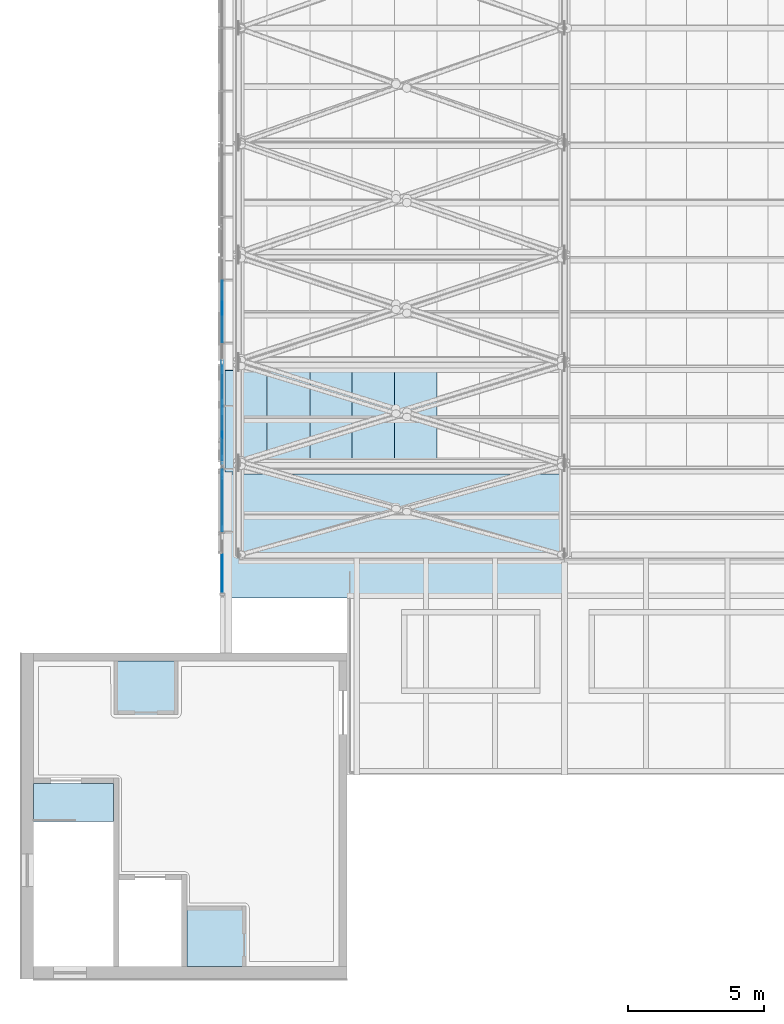
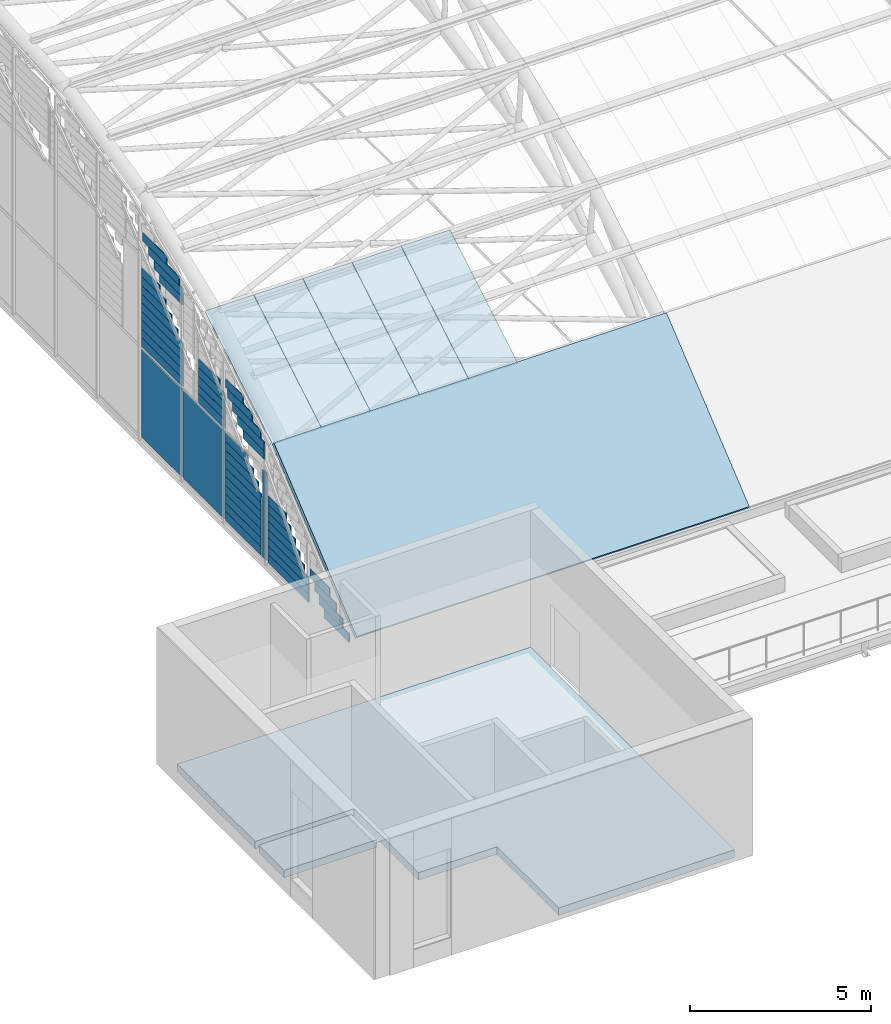
# One storey, part 51 of 110: 53 plates, 3 slabs, 1 element without a shape of its own.
"""IFC4 building model written with IfcOpenShell, lengths in metres."""

from ifc_helpers import new_model, si_unit, direction, frame, origin, place, context, subcontext, project, spatial, polyline, outline, extrude, material, layer, layer_set, type_object, element, aggregate, save


model = new_model("IFC4")

# Units and contexts
model_context = context("Model", 3, precision=1e-05, world=origin(), true_north=direction((0.0, 1.0)))
body_context = subcontext(model_context, "Body", "Model", "MODEL_VIEW")
ifc_project = project(units=[si_unit("LENGTHUNIT", "METRE"), si_unit("AREAUNIT", "SQUARE_METRE"), si_unit("VOLUMEUNIT", "CUBIC_METRE"), si_unit("PLANEANGLEUNIT", "RADIAN"), si_unit("MASSUNIT", "GRAM", prefix="KILO")], contexts=[model_context])

# Site, building, storey
site_placement = place(None, origin())
site = spatial("IfcSite", under=ifc_project, at=site_placement, CompositionType="ELEMENT")
building_placement = place(site_placement, origin())
building = spatial("IfcBuilding", under=site, at=building_placement, Name="Windward Yard Aquatics Centre", CompositionType="ELEMENT")
storey_placement = place(building_placement, frame((0.0, 0.0, 22.60009765625)))
storey = spatial("IfcBuildingStorey", under=building, at=storey_placement, Name="L05", CompositionType="ELEMENT", Elevation=22.60009765625)

# Slabs
ifc_material_1 = material(Name="Concrete C35/45", Category="concrete")
ifc_layer_1 = layer(ifc_material_1, 0.25)
ifc_layer_set_1 = layer_set([ifc_layer_1], Name="H Core Floor Concrete C35/45 250")
slab_type_1 = type_object("IfcSlabType", Name="H Core Floor Concrete C35/45 250", PredefinedType="FLOOR", material=ifc_layer_set_1)
slab_1_placement = place(storey_placement, frame((0.0, 0.0, -0.25)))
element("IfcSlab", 1, at=slab_1_placement, inside=storey, type_object=slab_type_1, Name="L05 core floor SW", PredefinedType="FLOOR", context=body_context, shape_type="SweptSolid", body=[
    extrude(outline(polyline([(52.449951171875, 33.39990234375), (55.60009765625, 33.39990234375), (55.60009765625, 29.85009765625), (58.10009765625, 29.85009765625), (58.10009765625, 26.449951171875), (63.699951171875, 26.449951171875), (63.699951171875, 37.699951171875), (52.449951171875, 37.699951171875), (52.449951171875, 33.39990234375)])), origin(), (0.0, 0.0, 1.0), 0.25),
])
slab_2_placement = place(storey_placement, frame((0.0, 0.0, -0.25)))
element("IfcSlab", 2, at=slab_2_placement, inside=storey, type_object=slab_type_1, Name="L05 stair floor landing SW", PredefinedType="FLOOR", context=body_context, shape_type="SweptSolid", body=[
    extrude(outline(polyline([(52.449951171875, 31.800048828125), (55.39990234375, 31.800048828125), (55.39990234375, 33.199951171875), (52.449951171875, 33.199951171875), (52.449951171875, 31.800048828125)])), origin(), (0.0, 0.0, 1.0), 0.25),
])

# Curtain wall, plates
ifc_material_2 = material(Name="Glass and aluminium curtain wall", Category="aluminium")
ifc_layer_2 = layer(ifc_material_2, 0.179931640625)
ifc_layer_set_2 = layer_set([ifc_layer_2], Name="H gable glazing system double glazed 8+16+8")
curtain_wall_type = type_object("IfcCurtainWallType", Name="H gable glazing system double glazed 8+16+8", PredefinedType="NOTDEFINED", material=ifc_layer_set_2)
curtain_wall_placement = place(storey_placement, origin())
curtain_wall = element("IfcCurtainWall", 3, at=curtain_wall_placement, inside=storey, type_object=curtain_wall_type, Name="Gable glazing W", PredefinedType="NOTDEFINED")
ifc_material_3 = material(Name="Low-iron glass", Category="glass")
ifc_layer_3 = layer(ifc_material_3, 0.008, Name="Outer pane")
ifc_material_4 = material(Name="Argon-filled cavity")
ifc_layer_4 = layer(ifc_material_4, 0.016, Name="Cavity")
ifc_layer_5 = layer(ifc_material_3, 0.008, Name="Inner pane")
ifc_layer_set_3 = layer_set([ifc_layer_3, ifc_layer_4, ifc_layer_5], Name="H gable glass low-e double glazed unit 32")
plate_type_1 = type_object("IfcPlateType", Name="H gable glass low-e double glazed unit 32", PredefinedType="CURTAIN_PANEL", material=ifc_layer_set_3)
plate_1_placement = place(storey_placement, frame((59.426025390625, 40.255126953125, 0.099853515625), z_axis=(1.0, 0.0, 0.0), x_axis=(0.0, 1.0, 0.0)))
plate_1 = element("IfcPlate", 4, at=plate_1_placement, type_object=plate_type_1, Name="Gable panel 1.1a", PredefinedType="CURTAIN_PANEL", context=body_context, shape_type="SweptSolid", body=[
    extrude(outline(polyline([(0.0, 0.0), (1.380371, 0.0), (1.380371, 0.295166), (0.0, 0.295166), (0.0, 0.0)])), origin(), (0.0, 0.0, -1.0), 0.031982421875),
])
plate_2_placement = place(storey_placement, frame((59.426025390625, 40.61474609375, 0.3955078125), z_axis=(1.0, 0.0, 0.0), x_axis=(0.0, 1.0, 0.0)))
plate_2 = element("IfcPlate", 5, at=plate_2_placement, type_object=plate_type_1, Name="Gable panel 1.1b", PredefinedType="CURTAIN_PANEL", context=body_context, shape_type="SweptSolid", body=[
    extrude(outline(polyline([(0.0, 0.0), (1.283691, 0.0), (1.283691, 0.294922), (0.0, 0.294922), (0.0, 0.0)])), origin(), (0.0, 0.0, -1.0), 0.031982421875),
])
plate_3_placement = place(storey_placement, frame((59.426025390625, 40.974609375, 0.69091796875), z_axis=(1.0, 0.0, 0.0), x_axis=(0.0, 1.0, 0.0)))
plate_3 = element("IfcPlate", 6, at=plate_3_placement, type_object=plate_type_1, Name="Gable panel 1.1c", PredefinedType="CURTAIN_PANEL", context=body_context, shape_type="SweptSolid", body=[
    extrude(outline(polyline([(0.0, 0.0), (1.186523, 0.0), (1.186523, 0.295166), (0.0, 0.295166), (0.0, 0.0)])), origin(), (0.0, 0.0, -1.0), 0.031982421875),
])
plate_4_placement = place(storey_placement, frame((59.426025390625, 41.334228515625, 0.986328125), z_axis=(1.0, 0.0, 0.0), x_axis=(0.0, 1.0, 0.0)))
plate_4 = element("IfcPlate", 7, at=plate_4_placement, type_object=plate_type_1, Name="Gable panel 1.1d", PredefinedType="CURTAIN_PANEL", context=body_context, shape_type="SweptSolid", body=[
    extrude(outline(polyline([(0.0, 0.0), (1.079346, 0.0), (1.079346, 0.295166), (0.0, 0.295166), (0.0, 0.0)])), origin(), (0.0, 0.0, -1.0), 0.031982421875),
])
plate_5_placement = place(storey_placement, frame((59.426025390625, 42.478515625, 0.099853515625), z_axis=(1.0, 0.0, 0.0), x_axis=(0.0, 1.0, 0.0)))
plate_5 = element("IfcPlate", 8, at=plate_5_placement, type_object=plate_type_1, Name="Gable panel 2.1a", PredefinedType="CURTAIN_PANEL", context=body_context, shape_type="SweptSolid", body=[
    extrude(outline(polyline([(0.0, 0.0), (2.254395, 0.0), (2.254395, 0.280029), (0.0, 0.280029), (0.0, 0.0)])), origin(), (0.0, 0.0, -1.0), 0.031982421875),
])
plate_6_placement = place(storey_placement, frame((59.426025390625, 42.478515625, 0.380126953125), z_axis=(1.0, 0.0, 0.0), x_axis=(0.0, 1.0, 0.0)))
plate_6 = element("IfcPlate", 9, at=plate_6_placement, type_object=plate_type_1, Name="Gable panel 2.1b", PredefinedType="CURTAIN_PANEL", context=body_context, shape_type="SweptSolid", body=[
    extrude(outline(polyline([(0.0, 0.0), (2.254395, 0.0), (2.254395, 0.279785), (0.0, 0.279785), (0.0, 0.0)])), origin(), (0.0, 0.0, -1.0), 0.031982421875),
])
plate_7_placement = place(storey_placement, frame((59.426025390625, 42.489990234375, 0.660400390625), z_axis=(1.0, 0.0, 0.0), x_axis=(0.0, 1.0, 0.0)))
plate_7 = element("IfcPlate", 10, at=plate_7_placement, type_object=plate_type_1, Name="Gable panel 2.1c", PredefinedType="CURTAIN_PANEL", context=body_context, shape_type="SweptSolid", body=[
    extrude(outline(polyline([(0.0, 0.0), (2.24292, 0.0), (2.24292, 0.279541), (0.0, 0.279541), (0.0, 0.0)])), origin(), (0.0, 0.0, -1.0), 0.031982421875),
])
plate_8_placement = place(storey_placement, frame((59.426025390625, 42.739013671875, 0.9404296875), z_axis=(1.0, 0.0, 0.0), x_axis=(0.0, 1.0, 0.0)))
plate_8 = element("IfcPlate", 11, at=plate_8_placement, type_object=plate_type_1, Name="Gable panel 2.1d", PredefinedType="CURTAIN_PANEL", context=body_context, shape_type="SweptSolid", body=[
    extrude(outline(polyline([(0.0, 0.0), (1.993896, 0.0), (1.993896, 0.279785), (0.0, 0.279785), (0.0, 0.0)])), origin(), (0.0, 0.0, -1.0), 0.031982421875),
])
plate_9_placement = place(storey_placement, frame((59.426025390625, 42.98828125, 1.220458984375), z_axis=(1.0, 0.0, 0.0), x_axis=(0.0, 1.0, 0.0)))
plate_9 = element("IfcPlate", 12, at=plate_9_placement, type_object=plate_type_1, Name="Gable panel 2.1e", PredefinedType="CURTAIN_PANEL", context=body_context, shape_type="SweptSolid", body=[
    extrude(outline(polyline([(0.0, 0.0), (1.744629, 0.0), (1.744629, 0.279785), (0.0, 0.279785), (0.0, 0.0)])), origin(), (0.0, 0.0, -1.0), 0.031982421875),
])
plate_10_placement = place(storey_placement, frame((59.426025390625, 43.237548828125, 1.500732421875), z_axis=(1.0, 0.0, 0.0), x_axis=(0.0, 1.0, 0.0)))
plate_10 = element("IfcPlate", 13, at=plate_10_placement, type_object=plate_type_1, Name="Gable panel 2.1f", PredefinedType="CURTAIN_PANEL", context=body_context, shape_type="SweptSolid", body=[
    extrude(outline(polyline([(0.0, 0.0), (1.495361, 0.0), (1.495361, 0.279541), (0.0, 0.279541), (0.0, 0.0)])), origin(), (0.0, 0.0, -1.0), 0.031982421875),
])
plate_11_placement = place(storey_placement, frame((59.426025390625, 43.486572265625, 1.78076171875), z_axis=(1.0, 0.0, 0.0), x_axis=(0.0, 1.0, 0.0)))
plate_11 = element("IfcPlate", 14, at=plate_11_placement, type_object=plate_type_1, Name="Gable panel 2.1g", PredefinedType="CURTAIN_PANEL", context=body_context, shape_type="SweptSolid", body=[
    extrude(outline(polyline([(0.0, 0.0), (1.246338, 0.0), (1.246338, 0.279785), (0.0, 0.279785), (0.0, 0.0)])), origin(), (0.0, 0.0, -1.0), 0.031982421875),
])
plate_12_placement = place(storey_placement, frame((59.426025390625, 43.73583984375, 2.060791015625), z_axis=(1.0, 0.0, 0.0), x_axis=(0.0, 1.0, 0.0)))
plate_12 = element("IfcPlate", 15, at=plate_12_placement, type_object=plate_type_1, Name="Gable panel 2.1h", PredefinedType="CURTAIN_PANEL", context=body_context, shape_type="SweptSolid", body=[
    extrude(outline(polyline([(0.0, 0.0), (0.99707, 0.0), (0.99707, 0.279785), (0.0, 0.279785), (0.0, 0.0)])), origin(), (0.0, 0.0, -1.0), 0.031982421875),
])
plate_13_placement = place(storey_placement, frame((59.426025390625, 45.093017578125, 0.099853515625), z_axis=(1.0, 0.0, 0.0), x_axis=(0.0, 1.0, 0.0)))
plate_13 = element("IfcPlate", 16, at=plate_13_placement, type_object=plate_type_1, Name="Gable panel 3.1a", PredefinedType="CURTAIN_PANEL", context=body_context, shape_type="SweptSolid", body=[
    extrude(outline(polyline([(0.0, 0.0), (1.958984, 0.0), (1.958984, 0.294922), (0.0, 0.294922), (0.0, 0.0)])), origin(), (0.0, 0.0, -1.0), 0.031982421875),
])
plate_14_placement = place(storey_placement, frame((59.426025390625, 45.093017578125, 0.39501953125), z_axis=(1.0, 0.0, 0.0), x_axis=(0.0, 1.0, 0.0)))
plate_14 = element("IfcPlate", 17, at=plate_14_placement, type_object=plate_type_1, Name="Gable panel 3.1b", PredefinedType="CURTAIN_PANEL", context=body_context, shape_type="SweptSolid", body=[
    extrude(outline(polyline([(0.0, 0.0), (1.958984, 0.0), (1.958984, 0.294678), (0.0, 0.294678), (0.0, 0.0)])), origin(), (0.0, 0.0, -1.0), 0.031982421875),
])
plate_15_placement = place(storey_placement, frame((59.426025390625, 45.093017578125, 0.690185546875), z_axis=(1.0, 0.0, 0.0), x_axis=(0.0, 1.0, 0.0)))
plate_15 = element("IfcPlate", 18, at=plate_15_placement, type_object=plate_type_1, Name="Gable panel 3.1c", PredefinedType="CURTAIN_PANEL", context=body_context, shape_type="SweptSolid", body=[
    extrude(outline(polyline([(0.0, 0.0), (1.958984, 0.0), (1.958984, 0.294434), (0.0, 0.294434), (0.0, 0.0)])), origin(), (0.0, 0.0, -1.0), 0.031982421875),
])
plate_16_placement = place(storey_placement, frame((59.426025390625, 45.093017578125, 0.985107421875), z_axis=(1.0, 0.0, 0.0), x_axis=(0.0, 1.0, 0.0)))
plate_16 = element("IfcPlate", 19, at=plate_16_placement, type_object=plate_type_1, Name="Gable panel 3.1d", PredefinedType="CURTAIN_PANEL", context=body_context, shape_type="SweptSolid", body=[
    extrude(outline(polyline([(0.0, 0.0), (1.958984, 0.0), (1.958984, 0.294678), (0.0, 0.294678), (0.0, 0.0)])), origin(), (0.0, 0.0, -1.0), 0.031982421875),
])
plate_17_placement = place(storey_placement, frame((59.426025390625, 45.093017578125, 1.280029296875), z_axis=(1.0, 0.0, 0.0), x_axis=(0.0, 1.0, 0.0)))
plate_17 = element("IfcPlate", 20, at=plate_17_placement, type_object=plate_type_1, Name="Gable panel 3.1e", PredefinedType="CURTAIN_PANEL", context=body_context, shape_type="SweptSolid", body=[
    extrude(outline(polyline([(0.0, 0.0), (1.958984, 0.0), (1.958984, 0.294678), (0.0, 0.294678), (0.0, 0.0)])), origin(), (0.0, 0.0, -1.0), 0.031982421875),
])
plate_18_placement = place(storey_placement, frame((59.426025390625, 45.093017578125, 1.5751953125), z_axis=(1.0, 0.0, 0.0), x_axis=(0.0, 1.0, 0.0)))
plate_18 = element("IfcPlate", 21, at=plate_18_placement, type_object=plate_type_1, Name="Gable panel 3.1f", PredefinedType="CURTAIN_PANEL", context=body_context, shape_type="SweptSolid", body=[
    extrude(outline(polyline([(0.0, 0.0), (1.958984, 0.0), (1.958984, 0.294434), (0.0, 0.294434), (0.0, 0.0)])), origin(), (0.0, 0.0, -1.0), 0.031982421875),
])
plate_19_placement = place(storey_placement, frame((59.426025390625, 45.093017578125, 1.8701171875), z_axis=(1.0, 0.0, 0.0), x_axis=(0.0, 1.0, 0.0)))
plate_19 = element("IfcPlate", 22, at=plate_19_placement, type_object=plate_type_1, Name="Gable panel 3.1g", PredefinedType="CURTAIN_PANEL", context=body_context, shape_type="SweptSolid", body=[
    extrude(outline(polyline([(0.0, 0.0), (1.958984, 0.0), (1.958984, 0.294678), (0.0, 0.294678), (0.0, 0.0)])), origin(), (0.0, 0.0, -1.0), 0.031982421875),
])
plate_20_placement = place(storey_placement, frame((59.426025390625, 45.2587890625, 2.1650390625), z_axis=(1.0, 0.0, 0.0), x_axis=(0.0, 1.0, 0.0)))
plate_20 = element("IfcPlate", 23, at=plate_20_placement, type_object=plate_type_1, Name="Gable panel 3.1h", PredefinedType="CURTAIN_PANEL", context=body_context, shape_type="SweptSolid", body=[
    extrude(outline(polyline([(0.0, 0.0), (1.793213, 0.0), (1.793213, 0.294678), (0.0, 0.294678), (0.0, 0.0)])), origin(), (0.0, 0.0, -1.0), 0.031982421875),
])
plate_21_placement = place(storey_placement, frame((59.426025390625, 45.549072265625, 2.460205078125), z_axis=(1.0, 0.0, 0.0), x_axis=(0.0, 1.0, 0.0)))
plate_21 = element("IfcPlate", 24, at=plate_21_placement, type_object=plate_type_1, Name="Gable panel 3.1i", PredefinedType="CURTAIN_PANEL", context=body_context, shape_type="SweptSolid", body=[
    extrude(outline(polyline([(0.0, 0.0), (1.50293, 0.0), (1.50293, 0.294434), (0.0, 0.294434), (0.0, 0.0)])), origin(), (0.0, 0.0, -1.0), 0.031982421875),
])
plate_22_placement = place(storey_placement, frame((59.426025390625, 45.83984375, 2.755126953125), z_axis=(1.0, 0.0, 0.0), x_axis=(0.0, 1.0, 0.0)))
plate_22 = element("IfcPlate", 25, at=plate_22_placement, type_object=plate_type_1, Name="Gable panel 3.1j", PredefinedType="CURTAIN_PANEL", context=body_context, shape_type="SweptSolid", body=[
    extrude(outline(polyline([(0.0, 0.0), (1.212158, 0.0), (1.212158, 0.294678), (0.0, 0.294678), (0.0, 0.0)])), origin(), (0.0, 0.0, -1.0), 0.031982421875),
])
plate_23_placement = place(storey_placement, frame((59.39404296875, 44.7978515625, 0.099853515625), z_axis=(-1.0, 0.0, 0.0), x_axis=(0.0, 0.0, 1.0)))
plate_23 = element("IfcPlate", 26, at=plate_23_placement, type_object=plate_type_1, Name="Gable panel 3.1r", PredefinedType="CURTAIN_PANEL", context=body_context, shape_type="SweptSolid", body=[
    extrude(outline(polyline([(0.0, 0.0), (2.949951, 0.0), (2.949951, 0.238281), (0.0, 0.238281), (0.0, 0.0)])), origin(), (0.0, 0.0, -1.0), 0.031982421875),
])
plate_24_placement = place(storey_placement, frame((59.426025390625, 44.9375, 3.435791015625), z_axis=(1.0, 0.0, 0.0), x_axis=(0.0, 1.0, 0.0)))
plate_24 = element("IfcPlate", 27, at=plate_24_placement, type_object=plate_type_1, Name="Gable panel 3.2d", PredefinedType="CURTAIN_PANEL", context=body_context, shape_type="SweptSolid", body=[
    extrude(outline(polyline([(0.0, 0.0), (1.170166, 0.0), (1.170166, 0.2854), (0.0, 0.2854), (0.0, 0.0)])), origin(), (0.0, 0.0, -1.0), 0.031982421875),
])
plate_25_placement = place(storey_placement, frame((59.426025390625, 44.9375, 3.7216796875), z_axis=(1.0, 0.0, 0.0), x_axis=(0.0, 1.0, 0.0)))
plate_25 = element("IfcPlate", 28, at=plate_25_placement, type_object=plate_type_1, Name="Gable panel 3.2e", PredefinedType="CURTAIN_PANEL", context=body_context, shape_type="SweptSolid", body=[
    extrude(outline(polyline([(0.0, 0.0), (1.451416, 0.0), (1.451416, 0.2854), (0.0, 0.2854), (0.0, 0.0)])), origin(), (0.0, 0.0, -1.0), 0.031982421875),
])
plate_26_placement = place(storey_placement, frame((59.426025390625, 45.122802734375, 4.007568359375), z_axis=(1.0, 0.0, 0.0), x_axis=(0.0, 1.0, 0.0)))
plate_26 = element("IfcPlate", 29, at=plate_26_placement, type_object=plate_type_1, Name="Gable panel 3.2f", PredefinedType="CURTAIN_PANEL", context=body_context, shape_type="SweptSolid", body=[
    extrude(outline(polyline([(0.0, 0.0), (1.547607, 0.0), (1.547607, 0.2854), (0.0, 0.2854), (0.0, 0.0)])), origin(), (0.0, 0.0, -1.0), 0.031982421875),
])
plate_27_placement = place(storey_placement, frame((59.426025390625, 45.60498046875, 4.293212890625), z_axis=(1.0, 0.0, 0.0), x_axis=(0.0, 1.0, 0.0)))
plate_27 = element("IfcPlate", 30, at=plate_27_placement, type_object=plate_type_1, Name="Gable panel 3.2g", PredefinedType="CURTAIN_PANEL", context=body_context, shape_type="SweptSolid", body=[
    extrude(outline(polyline([(0.0, 0.0), (1.346924, 0.0), (1.346924, 0.2854), (0.0, 0.2854), (0.0, 0.0)])), origin(), (0.0, 0.0, -1.0), 0.031982421875),
])
plate_28_placement = place(storey_placement, frame((59.426025390625, 46.087158203125, 4.5791015625), z_axis=(1.0, 0.0, 0.0), x_axis=(0.0, 1.0, 0.0)))
plate_28 = element("IfcPlate", 31, at=plate_28_placement, type_object=plate_type_1, Name="Gable panel 3.2h", PredefinedType="CURTAIN_PANEL", context=body_context, shape_type="SweptSolid", body=[
    extrude(outline(polyline([(0.0, 0.0), (0.964844, 0.0), (0.964844, 0.2854), (0.0, 0.2854), (0.0, 0.0)])), origin(), (0.0, 0.0, -1.0), 0.031982421875),
])
plate_29_placement = place(storey_placement, frame((59.39404296875, 47.1171875, 0.099853515625), z_axis=(-1.0, 0.0, 0.0), x_axis=(0.0, 0.0, 1.0)))
plate_29 = element("IfcPlate", 32, at=plate_29_placement, type_object=plate_type_1, Name="Gable panel 4.1", PredefinedType="CURTAIN_PANEL", context=body_context, shape_type="SweptSolid", body=[
    extrude(outline(polyline([(0.0, 0.0), (2.949951, 0.0), (2.949951, 2.25415), (0.0, 2.25415), (0.0, 0.0)])), origin(), (0.0, 0.0, -1.0), 0.031982421875),
])
plate_30_placement = place(storey_placement, frame((59.426025390625, 47.1171875, 3.14990234375), z_axis=(1.0, 0.0, 0.0), x_axis=(0.0, 1.0, 0.0)))
plate_30 = element("IfcPlate", 33, at=plate_30_placement, type_object=plate_type_1, Name="Gable panel 4.2an", PredefinedType="CURTAIN_PANEL", context=body_context, shape_type="SweptSolid", body=[
    extrude(outline(polyline([(0.0, 0.0), (1.44458, 0.0), (1.44458, 0.295898), (0.0, 0.295898), (0.0, 0.0)])), origin(), (0.0, 0.0, -1.0), 0.031982421875),
])
plate_31_placement = place(storey_placement, frame((59.426025390625, 47.1171875, 3.446044921875), z_axis=(1.0, 0.0, 0.0), x_axis=(0.0, 1.0, 0.0)))
plate_31 = element("IfcPlate", 34, at=plate_31_placement, type_object=plate_type_1, Name="Gable panel 4.2ao", PredefinedType="CURTAIN_PANEL", context=body_context, shape_type="SweptSolid", body=[
    extrude(outline(polyline([(0.0, 0.0), (1.44458, 0.0), (1.44458, 0.295898), (0.0, 0.295898), (0.0, 0.0)])), origin(), (0.0, 0.0, -1.0), 0.031982421875),
])
plate_32_placement = place(storey_placement, frame((59.426025390625, 47.1171875, 3.7421875), z_axis=(1.0, 0.0, 0.0), x_axis=(0.0, 1.0, 0.0)))
plate_32 = element("IfcPlate", 35, at=plate_32_placement, type_object=plate_type_1, Name="Gable panel 4.2ap", PredefinedType="CURTAIN_PANEL", context=body_context, shape_type="SweptSolid", body=[
    extrude(outline(polyline([(0.0, 0.0), (1.44458, 0.0), (1.44458, 0.295654), (0.0, 0.295654), (0.0, 0.0)])), origin(), (0.0, 0.0, -1.0), 0.031982421875),
])
plate_33_placement = place(storey_placement, frame((59.426025390625, 47.1171875, 4.038330078125), z_axis=(1.0, 0.0, 0.0), x_axis=(0.0, 1.0, 0.0)))
plate_33 = element("IfcPlate", 36, at=plate_33_placement, type_object=plate_type_1, Name="Gable panel 4.2aq", PredefinedType="CURTAIN_PANEL", context=body_context, shape_type="SweptSolid", body=[
    extrude(outline(polyline([(0.0, 0.0), (1.44458, 0.0), (1.44458, 0.295654), (0.0, 0.295654), (0.0, 0.0)])), origin(), (0.0, 0.0, -1.0), 0.031982421875),
])
plate_34_placement = place(storey_placement, frame((59.426025390625, 47.3955078125, 4.33447265625), z_axis=(1.0, 0.0, 0.0), x_axis=(0.0, 1.0, 0.0)))
plate_34 = element("IfcPlate", 37, at=plate_34_placement, type_object=plate_type_1, Name="Gable panel 4.2ar", PredefinedType="CURTAIN_PANEL", context=body_context, shape_type="SweptSolid", body=[
    extrude(outline(polyline([(0.0, 0.0), (1.16626, 0.0), (1.16626, 0.295654), (0.0, 0.295654), (0.0, 0.0)])), origin(), (0.0, 0.0, -1.0), 0.031982421875),
])
plate_35_placement = place(storey_placement, frame((59.39404296875, 49.436279296875, 0.099853515625), z_axis=(-1.0, 0.0, 0.0), x_axis=(0.0, 0.0, 1.0)))
plate_35 = element("IfcPlate", 38, at=plate_35_placement, type_object=plate_type_1, Name="Gable panel 5.1", PredefinedType="CURTAIN_PANEL", context=body_context, shape_type="SweptSolid", body=[
    extrude(outline(polyline([(0.0, 0.0), (2.949951, 0.0), (2.949951, 2.254395), (0.0, 2.254395), (0.0, 0.0)])), origin(), (0.0, 0.0, -1.0), 0.031982421875),
])
plate_36_placement = place(storey_placement, frame((59.426025390625, 49.436279296875, 3.14990234375), z_axis=(1.0, 0.0, 0.0), x_axis=(0.0, 1.0, 0.0)))
plate_36 = element("IfcPlate", 39, at=plate_36_placement, type_object=plate_type_1, Name="Gable panel 5.2a", PredefinedType="CURTAIN_PANEL", context=body_context, shape_type="SweptSolid", body=[
    extrude(outline(polyline([(0.0, 0.0), (2.254395, 0.0), (2.254395, 0.293213), (0.0, 0.293213), (0.0, 0.0)])), origin(), (0.0, 0.0, -1.0), 0.031982421875),
])
plate_37_placement = place(storey_placement, frame((59.426025390625, 49.436279296875, 3.443603515625), z_axis=(1.0, 0.0, 0.0), x_axis=(0.0, 1.0, 0.0)))
plate_37 = element("IfcPlate", 40, at=plate_37_placement, type_object=plate_type_1, Name="Gable panel 5.2b", PredefinedType="CURTAIN_PANEL", context=body_context, shape_type="SweptSolid", body=[
    extrude(outline(polyline([(0.0, 0.0), (2.254395, 0.0), (2.254395, 0.292969), (0.0, 0.292969), (0.0, 0.0)])), origin(), (0.0, 0.0, -1.0), 0.031982421875),
])
plate_38_placement = place(storey_placement, frame((59.426025390625, 49.436279296875, 3.737060546875), z_axis=(1.0, 0.0, 0.0), x_axis=(0.0, 1.0, 0.0)))
plate_38 = element("IfcPlate", 41, at=plate_38_placement, type_object=plate_type_1, Name="Gable panel 5.2c", PredefinedType="CURTAIN_PANEL", context=body_context, shape_type="SweptSolid", body=[
    extrude(outline(polyline([(0.0, 0.0), (2.254395, 0.0), (2.254395, 0.292969), (0.0, 0.292969), (0.0, 0.0)])), origin(), (0.0, 0.0, -1.0), 0.031982421875),
])
plate_39_placement = place(storey_placement, frame((59.426025390625, 49.436279296875, 4.0302734375), z_axis=(1.0, 0.0, 0.0), x_axis=(0.0, 1.0, 0.0)))
plate_39 = element("IfcPlate", 42, at=plate_39_placement, type_object=plate_type_1, Name="Gable panel 5.2d", PredefinedType="CURTAIN_PANEL", context=body_context, shape_type="SweptSolid", body=[
    extrude(outline(polyline([(0.0, 0.0), (2.254395, 0.0), (2.254395, 0.293213), (0.0, 0.293213), (0.0, 0.0)])), origin(), (0.0, 0.0, -1.0), 0.031982421875),
])
plate_40_placement = place(storey_placement, frame((59.426025390625, 49.436279296875, 4.32373046875), z_axis=(1.0, 0.0, 0.0), x_axis=(0.0, 1.0, 0.0)))
plate_40 = element("IfcPlate", 43, at=plate_40_placement, type_object=plate_type_1, Name="Gable panel 5.2e", PredefinedType="CURTAIN_PANEL", context=body_context, shape_type="SweptSolid", body=[
    extrude(outline(polyline([(0.0, 0.0), (2.254395, 0.0), (2.254395, 0.293213), (0.0, 0.293213), (0.0, 0.0)])), origin(), (0.0, 0.0, -1.0), 0.031982421875),
])
plate_41_placement = place(storey_placement, frame((59.426025390625, 49.70263671875, 4.6171875), z_axis=(1.0, 0.0, 0.0), x_axis=(0.0, 1.0, 0.0)))
plate_41 = element("IfcPlate", 44, at=plate_41_placement, type_object=plate_type_1, Name="Gable panel 5.2f", PredefinedType="CURTAIN_PANEL", context=body_context, shape_type="SweptSolid", body=[
    extrude(outline(polyline([(0.0, 0.0), (1.988037, 0.0), (1.988037, 0.292969), (0.0, 0.292969), (0.0, 0.0)])), origin(), (0.0, 0.0, -1.0), 0.031982421875),
])
plate_42_placement = place(storey_placement, frame((59.426025390625, 50.033935546875, 4.91064453125), z_axis=(1.0, 0.0, 0.0), x_axis=(0.0, 1.0, 0.0)))
plate_42 = element("IfcPlate", 45, at=plate_42_placement, type_object=plate_type_1, Name="Gable panel 5.2g", PredefinedType="CURTAIN_PANEL", context=body_context, shape_type="SweptSolid", body=[
    extrude(outline(polyline([(0.0, 0.0), (1.656738, 0.0), (1.656738, 0.292969), (0.0, 0.292969), (0.0, 0.0)])), origin(), (0.0, 0.0, -1.0), 0.031982421875),
])
plate_43_placement = place(storey_placement, frame((59.426025390625, 50.365234375, 5.2041015625), z_axis=(1.0, 0.0, 0.0), x_axis=(0.0, 1.0, 0.0)))
plate_43 = element("IfcPlate", 46, at=plate_43_placement, type_object=plate_type_1, Name="Gable panel 5.2h", PredefinedType="CURTAIN_PANEL", context=body_context, shape_type="SweptSolid", body=[
    extrude(outline(polyline([(0.0, 0.0), (1.325439, 0.0), (1.325439, 0.292969), (0.0, 0.292969), (0.0, 0.0)])), origin(), (0.0, 0.0, -1.0), 0.031982421875),
])
plate_44_placement = place(storey_placement, frame((59.426025390625, 50.696533203125, 5.49755859375), z_axis=(1.0, 0.0, 0.0), x_axis=(0.0, 1.0, 0.0)))
plate_44 = element("IfcPlate", 47, at=plate_44_placement, type_object=plate_type_1, Name="Gable panel 5.2i", PredefinedType="CURTAIN_PANEL", context=body_context, shape_type="SweptSolid", body=[
    extrude(outline(polyline([(0.0, 0.0), (0.994141, 0.0), (0.994141, 0.292969), (0.0, 0.292969), (0.0, 0.0)])), origin(), (0.0, 0.0, -1.0), 0.031982421875),
])
plate_45_placement = place(storey_placement, frame((59.426025390625, 49.436279296875, 5.893310546875), z_axis=(1.0, 0.0, 0.0), x_axis=(0.0, 1.0, 0.0)))
plate_45 = element("IfcPlate", 48, at=plate_45_placement, type_object=plate_type_1, Name="Gable panel 5.2o", PredefinedType="CURTAIN_PANEL", context=body_context, shape_type="SweptSolid", body=[
    extrude(outline(polyline([(0.0, 0.0), (1.255859, 0.0), (1.255859, 0.277832), (0.0, 0.277832), (0.0, 0.0)])), origin(), (0.0, 0.0, -1.0), 0.031982421875),
])
plate_46_placement = place(storey_placement, frame((59.426025390625, 49.436279296875, 6.17138671875), z_axis=(1.0, 0.0, 0.0), x_axis=(0.0, 1.0, 0.0)))
plate_46 = element("IfcPlate", 49, at=plate_46_placement, type_object=plate_type_1, Name="Gable panel 5.2p", PredefinedType="CURTAIN_PANEL", context=body_context, shape_type="SweptSolid", body=[
    extrude(outline(polyline([(0.0, 0.0), (1.56958, 0.0), (1.56958, 0.277588), (0.0, 0.277588), (0.0, 0.0)])), origin(), (0.0, 0.0, -1.0), 0.031982421875),
])
plate_47_placement = place(storey_placement, frame((59.426025390625, 49.61474609375, 6.449462890625), z_axis=(1.0, 0.0, 0.0), x_axis=(0.0, 1.0, 0.0)))
plate_47 = element("IfcPlate", 50, at=plate_47_placement, type_object=plate_type_1, Name="Gable panel 5.2q", PredefinedType="CURTAIN_PANEL", context=body_context, shape_type="SweptSolid", body=[
    extrude(outline(polyline([(0.0, 0.0), (1.705078, 0.0), (1.705078, 0.277588), (0.0, 0.277588), (0.0, 0.0)])), origin(), (0.0, 0.0, -1.0), 0.031982421875),
])
plate_48_placement = place(storey_placement, frame((59.426025390625, 50.306396484375, 6.7275390625), z_axis=(1.0, 0.0, 0.0), x_axis=(0.0, 1.0, 0.0)))
plate_48 = element("IfcPlate", 51, at=plate_48_placement, type_object=plate_type_1, Name="Gable panel 5.2r", PredefinedType="CURTAIN_PANEL", context=body_context, shape_type="SweptSolid", body=[
    extrude(outline(polyline([(0.0, 0.0), (1.327148, 0.0), (1.327148, 0.277588), (0.0, 0.277588), (0.0, 0.0)])), origin(), (0.0, 0.0, -1.0), 0.031982421875),
])
aggregate(curtain_wall, [plate_1, plate_2, plate_3, plate_4, plate_5, plate_6, plate_7, plate_8, plate_9, plate_10, plate_11, plate_12, plate_13, plate_14, plate_15, plate_16, plate_17, plate_18, plate_19, plate_20, plate_21, plate_22, plate_23, plate_24, plate_25, plate_26, plate_27, plate_28, plate_29, plate_30, plate_31, plate_32, plate_33, plate_34, plate_35, plate_36, plate_37, plate_38, plate_39, plate_40, plate_41, plate_42, plate_43, plate_44, plate_45, plate_46, plate_47, plate_48])

# Slab
ifc_material_5 = material(Name="Aluminium standing seam sheet", Category="aluminium")
ifc_layer_6 = layer(ifc_material_5, 0.001, Name="Roof covering")
ifc_material_6 = material(Name="Breather membrane")
ifc_layer_7 = layer(ifc_material_6, 0.002, Name="Underlay")
ifc_material_7 = material(Name="Mineral wool insulation")
ifc_layer_8 = layer(ifc_material_7, 0.1, Name="Insulation")
ifc_material_8 = material(Name="Vapour control layer")
ifc_layer_9 = layer(ifc_material_8, 0.001, Name="Vapour control")
ifc_material_9 = material(Name="Profiled galvanised steel deck", Category="steel")
ifc_layer_10 = layer(ifc_material_9, 0.046, Name="Deck")
ifc_layer_set_4 = layer_set([ifc_layer_6, ifc_layer_7, ifc_layer_8, ifc_layer_9, ifc_layer_10], Name="H standing seam roofing 150")
slab_type_2 = type_object("IfcSlabType", Name="H standing seam roofing 150", PredefinedType="ROOF", material=ifc_layer_set_4)
slab_3_placement = place(storey_placement, frame((59.5, 26.0, 0.0), z_axis=(1.0, 0.0, 0.0), x_axis=(0.0, 1.0, 0.0)))
element("IfcSlab", 52, at=slab_3_placement, inside=storey, type_object=slab_type_2, Name="Roof covering bay 1", PredefinedType="ROOF", context=body_context, shape_type="SweptSolid", body=[
    extrude(outline(polyline([(14.107666015625, 0.300048828125), (18.67431640625, 4.050537109375), (18.588134765625, 4.173828125), (14.012451171875, 0.416015625), (14.107666015625, 0.300048828125)])), origin(), (0.0, 0.0, 1.0), 12.5),
])

# Plates
ifc_material_10 = material(Name="Translucent multiwall polycarbonate sheet")
ifc_layer_11 = layer(ifc_material_10, 0.031982421875)
ifc_layer_set_5 = layer_set([ifc_layer_11], Name="H translucent roof sheet multiwall polycarbonate 32")
plate_type_2 = type_object("IfcPlateType", Name="H translucent roof sheet multiwall polycarbonate 32", PredefinedType="SHEET", material=ifc_layer_set_5)
for number, where, z_axis, x_axis, name in (
    (53, (59.501953125, 26.0, 0.0), (1.0, 0.0, 0.0), (0.0, 1.0, 0.0), "Daylight roof sheet bay 1 facet 2 sheet 1"),
    (54, (61.064453125, 26.0, 0.0), (1.0, 0.0, 0.0), (0.0, 1.0, 0.0), "Daylight roof sheet bay 1 facet 2 sheet 2"),
    (55, (62.626953125, 26.0, 0.0), (1.0, 0.0, 0.0), (0.0, 1.0, 0.0), "Daylight roof sheet bay 1 facet 2 sheet 3"),
    (56, (64.189453125, 26.0, 0.0), (1.0, 0.0, 0.0), (0.0, 1.0, 0.0), "Daylight roof sheet bay 1 facet 2 sheet 4"),
    (57, (65.751953125, 26.0, 0.0), (1.0, 0.0, 0.0), (0.0, 1.0, 0.0), "Daylight roof sheet bay 1 facet 2 sheet 5"),
):
    element("IfcPlate", number, at=place(storey_placement, frame(where, z_axis=z_axis, x_axis=x_axis)), inside=storey, type_object=plate_type_2, Name=name, PredefinedType="SHEET", context=body_context, shape_type="SweptSolid", body=[
        extrude(outline(polyline([(18.67431640625, 4.050537109375), (22.41064453125, 6.2646484375), (22.396240234375, 6.29345703125), (18.656005859375, 4.076904296875), (18.67431640625, 4.050537109375)])), origin(), (0.0, 0.0, 1.0), 1.55859375),
    ])

save(model, "model.ifc")
